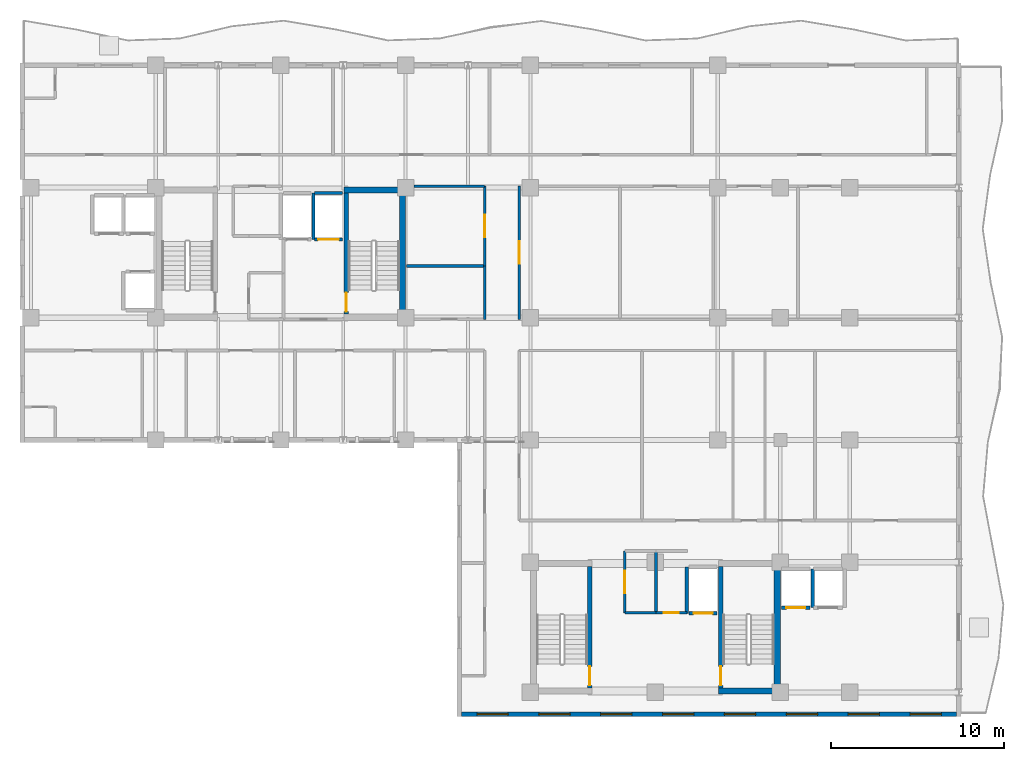
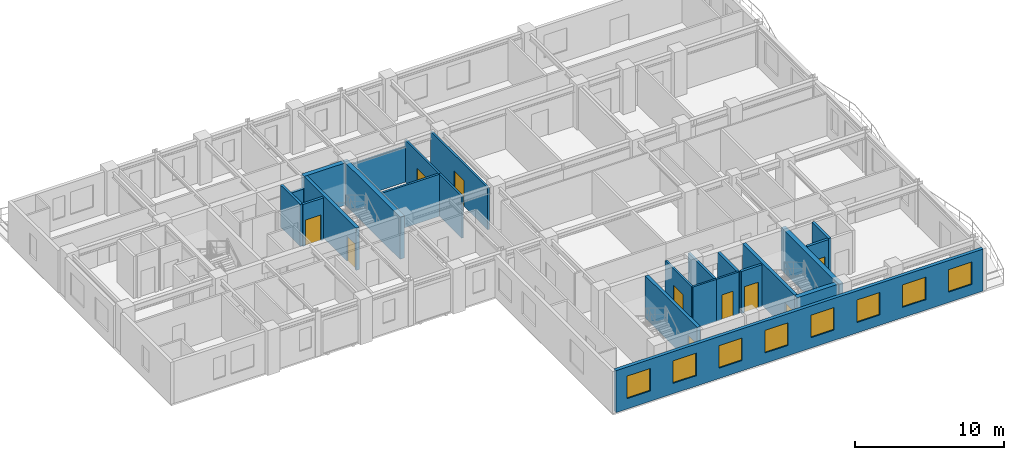
# One storey, part 7 of 13: 24 walls, 10 doors, 8 windows, 18 openings.
"""IFC4 building model written with IfcOpenShell, lengths in metres."""

from ifc_helpers import new_model, si_unit, direction, frame, frame_2d, origin, place, context, subcontext, project, spatial, rectangle, extrude, material, layer, layer_set, type_object, element, fill, save


model = new_model("IFC4")

# Units and contexts
model_context = context("Model", 3, precision=1e-05, world=origin(), true_north=direction((0.0, 1.0)))
body_context = subcontext(model_context, "Body", "Model", "MODEL_VIEW")
ifc_project = project(units=[si_unit("LENGTHUNIT", "METRE"), si_unit("AREAUNIT", "SQUARE_METRE"), si_unit("VOLUMEUNIT", "CUBIC_METRE"), si_unit("PLANEANGLEUNIT", "RADIAN"), si_unit("MASSUNIT", "GRAM", prefix="KILO")], contexts=[model_context])

# Site, building, storey
site_placement = place(None, origin())
site = spatial("IfcSite", under=ifc_project, at=site_placement, CompositionType="ELEMENT")
building_placement = place(site_placement, origin())
building = spatial("IfcBuilding", under=site, at=building_placement, Name="Kaliganga Portal Commons", CompositionType="ELEMENT")
storey_placement = place(building_placement, frame((0.0, 0.0, 212.89990234375)))
storey = spatial("IfcBuildingStorey", under=building, at=storey_placement, Name="L54", CompositionType="ELEMENT", Elevation=212.89990234375)

# Walls
ifc_material_1 = material(Name="Concrete C50/60", Category="concrete")
ifc_layer_1 = layer(ifc_material_1, 0.35009765625)
ifc_layer_set_1 = layer_set([ifc_layer_1], Name="Concrete C50/60")
wall_type_1 = type_object("IfcWallType", Name="WL-CORE-350", PredefinedType="SHEAR", material=ifc_layer_set_1)
wall_1_placement = place(storey_placement, frame((28.625, 28.5, 0.0), z_axis=(0.0, 0.0, 1.0), x_axis=(0.0, 1.0, 0.0)))
element("IfcWall", 1, at=wall_1_placement, inside=storey, type_object=wall_type_1, Name="Core A East Shear Wall L54", PredefinedType="SHEAR", context=body_context, shape_type="SweptSolid", body=[
    extrude(rectangle(XDim=7.699951171875, YDim=0.35009765625, at=frame_2d((3.85009765625, 0.0))), origin(), (0.0, 0.0, 1.0), 3.47021484375),
])
wall_2_placement = place(storey_placement, frame((25.25, 36.02490234375, 0.0), z_axis=(0.0, 0.0, 1.0), x_axis=(1.0, 0.0, 0.0)))
element("IfcWall", 2, at=wall_2_placement, inside=storey, type_object=wall_type_1, Name="Core A N-East Shear Wall L54", PredefinedType="SHEAR", context=body_context, shape_type="SweptSolid", body=[
    extrude(rectangle(XDim=3.199951171875, YDim=0.35009765625, at=frame_2d((1.60009765625, 0.0))), origin(), (0.0, 0.0, 1.0), 3.47021484375),
])
wall_3_placement = place(storey_placement, frame((50.22509765625, 6.949951171875, 0.0), z_axis=(0.0, 0.0, 1.0), x_axis=(0.0, 1.0, 0.0)))
element("IfcWall", 3, at=wall_3_placement, inside=storey, type_object=wall_type_1, Name="Core B East Shear Wall L54", PredefinedType="SHEAR", context=body_context, shape_type="SweptSolid", body=[
    extrude(rectangle(XDim=7.699951171875, YDim=0.35009765625, at=frame_2d((3.85009765625, 0.0))), origin(), (0.0, 0.0, 1.0), 3.47021484375),
])
wall_4_placement = place(storey_placement, frame((46.85009765625, 7.125, 0.0), z_axis=(0.0, 0.0, 1.0), x_axis=(1.0, 0.0, 0.0)))
element("IfcWall", 4, at=wall_4_placement, inside=storey, type_object=wall_type_1, Name="Core B S-East Shear Wall L54", PredefinedType="SHEAR", context=body_context, shape_type="SweptSolid", body=[
    extrude(rectangle(XDim=3.199951171875, YDim=0.35009765625, at=frame_2d((1.60009765625, 0.0))), origin(), (0.0, 0.0, 1.0), 3.47021484375),
])

# Wall, openings, windows
ifc_material_2 = material(Name="Insulated Aluminium-Clad Spandrel Assembly", Category="aluminium")
ifc_layer_2 = layer(ifc_material_2, 0.260009765625)
ifc_layer_set_2 = layer_set([ifc_layer_2], Name="Insulated Aluminium-Clad Spandrel Assembly")
wall_type_2 = type_object("IfcWallType", Name="WL-EXT-SPAND-260", PredefinedType="STANDARD", material=ifc_layer_set_2)
wall_5_placement = place(storey_placement, frame((60.56494140625, 5.800048828125, 0.0), z_axis=(0.0, 0.0, 1.0), x_axis=(-1.0, 0.0, 0.0)))
wall_5 = element("IfcWall", 5, at=wall_5_placement, inside=storey, type_object=wall_type_2, Name="Exterior Envelope Wall L54 P1-E00-S1", PredefinedType="STANDARD", context=body_context, shape_type="SweptSolid", body=[
    extrude(rectangle(XDim=28.530029296875, YDim=0.260009765625, at=frame_2d((14.26513671875, 0.0))), origin(), (0.0, 0.0, 1.0), 3.4501953125),
])
opening_1_placement = place(wall_5_placement, frame((0.883056640625, 0.0, 0.85009765625)))
opening_1 = element("IfcOpeningElement", 6, at=opening_1_placement, cuts=wall_5, Name="Opening W-01", PredefinedType="OPENING", context=body_context, shape_type="SweptSolid", body=[
    extrude(rectangle(XDim=1.800048828125, YDim=1.85009765625, at=frame_2d((0.89990234375, 0.925048828125))), frame((0.0, 0.14013671875, 0.0), z_axis=(0.0, -1.0, 0.0), x_axis=(1.0, 0.0, 0.0)), (0.0, 0.0, 1.0), 0.280029296875),
])
opening_2_placement = place(wall_5_placement, frame((4.449462890625, 0.0, 0.85009765625)))
opening_2 = element("IfcOpeningElement", 7, at=opening_2_placement, cuts=wall_5, Name="Opening W-01", PredefinedType="OPENING", context=body_context, shape_type="SweptSolid", body=[
    extrude(rectangle(XDim=1.800048828125, YDim=1.85009765625, at=frame_2d((0.89990234375, 0.925048828125))), frame((0.0, 0.14013671875, 0.0), z_axis=(0.0, -1.0, 0.0), x_axis=(1.0, 0.0, 0.0)), (0.0, 0.0, 1.0), 0.280029296875),
])
opening_3_placement = place(wall_5_placement, frame((8.015625, 0.0, 0.85009765625)))
opening_3 = element("IfcOpeningElement", 8, at=opening_3_placement, cuts=wall_5, Name="Opening W-01", PredefinedType="OPENING", context=body_context, shape_type="SweptSolid", body=[
    extrude(rectangle(XDim=1.800048828125, YDim=1.85009765625, at=frame_2d((0.89990234375, 0.925048828125))), frame((0.0, 0.14013671875, 0.0), z_axis=(0.0, -1.0, 0.0), x_axis=(1.0, 0.0, 0.0)), (0.0, 0.0, 1.0), 0.280029296875),
])
opening_4_placement = place(wall_5_placement, frame((11.581787109375, 0.0, 0.85009765625)))
opening_4 = element("IfcOpeningElement", 9, at=opening_4_placement, cuts=wall_5, Name="Opening W-01", PredefinedType="OPENING", context=body_context, shape_type="SweptSolid", body=[
    extrude(rectangle(XDim=1.800048828125, YDim=1.85009765625, at=frame_2d((0.89990234375, 0.925048828125))), frame((0.0, 0.14013671875, 0.0), z_axis=(0.0, -1.0, 0.0), x_axis=(1.0, 0.0, 0.0)), (0.0, 0.0, 1.0), 0.280029296875),
])
opening_5_placement = place(wall_5_placement, frame((15.148193359375, 0.0, 0.85009765625)))
opening_5 = element("IfcOpeningElement", 10, at=opening_5_placement, cuts=wall_5, Name="Opening W-01", PredefinedType="OPENING", context=body_context, shape_type="SweptSolid", body=[
    extrude(rectangle(XDim=1.800048828125, YDim=1.85009765625, at=frame_2d((0.89990234375, 0.925048828125))), frame((0.0, 0.14013671875, 0.0), z_axis=(0.0, -1.0, 0.0), x_axis=(1.0, 0.0, 0.0)), (0.0, 0.0, 1.0), 0.280029296875),
])
opening_6_placement = place(wall_5_placement, frame((18.71435546875, 0.0, 0.85009765625)))
opening_6 = element("IfcOpeningElement", 11, at=opening_6_placement, cuts=wall_5, Name="Opening W-01", PredefinedType="OPENING", context=body_context, shape_type="SweptSolid", body=[
    extrude(rectangle(XDim=1.800048828125, YDim=1.85009765625, at=frame_2d((0.89990234375, 0.925048828125))), frame((0.0, 0.14013671875, 0.0), z_axis=(0.0, -1.0, 0.0), x_axis=(1.0, 0.0, 0.0)), (0.0, 0.0, 1.0), 0.280029296875),
])
opening_7_placement = place(wall_5_placement, frame((22.280517578125, 0.0, 0.85009765625)))
opening_7 = element("IfcOpeningElement", 12, at=opening_7_placement, cuts=wall_5, Name="Opening W-01", PredefinedType="OPENING", context=body_context, shape_type="SweptSolid", body=[
    extrude(rectangle(XDim=1.800048828125, YDim=1.85009765625, at=frame_2d((0.89990234375, 0.925048828125))), frame((0.0, 0.14013671875, 0.0), z_axis=(0.0, -1.0, 0.0), x_axis=(1.0, 0.0, 0.0)), (0.0, 0.0, 1.0), 0.280029296875),
])
opening_8_placement = place(wall_5_placement, frame((25.846923828125, 0.0, 0.85009765625)))
opening_8 = element("IfcOpeningElement", 13, at=opening_8_placement, cuts=wall_5, Name="Opening W-01", PredefinedType="OPENING", context=body_context, shape_type="SweptSolid", body=[
    extrude(rectangle(XDim=1.800048828125, YDim=1.85009765625, at=frame_2d((0.89990234375, 0.925048828125))), frame((0.0, 0.14013671875, 0.0), z_axis=(0.0, -1.0, 0.0), x_axis=(1.0, 0.0, 0.0)), (0.0, 0.0, 1.0), 0.280029296875),
])
ifc_material_3 = material(Name="Thermally Broken Aluminium and Low-E Double Glazing", Category="aluminium")
window_type = type_object("IfcWindowType", Name="WIN-STD-1800", PartitioningType="DOUBLE_PANEL_VERTICAL", PredefinedType="WINDOW", material=ifc_material_3)
window_1_placement = place(opening_1_placement, origin())
window_1 = element("IfcWindow", 14, at=window_1_placement, inside=storey, type_object=window_type, Name="Facade Window L54-P1E00S1-00", OverallHeight=1.85009765625, OverallWidth=1.800048828125, PartitioningType="SINGLE_PANEL", PredefinedType="WINDOW", context=body_context, shape_type="SweptSolid", body=[
    extrude(rectangle(XDim=1.800048828125, YDim=1.85009765625, at=frame_2d((0.89990234375, 0.925048828125))), frame((0.0, 0.030029296875, 0.0), z_axis=(0.0, -1.0, 0.0), x_axis=(1.0, 0.0, 0.0)), (0.0, 0.0, 1.0), 0.06005859375),
])
fill(opening_1, window_1)
window_2_placement = place(opening_2_placement, origin())
window_2 = element("IfcWindow", 15, at=window_2_placement, inside=storey, type_object=window_type, Name="Facade Window L54-P1E00S1-01", OverallHeight=1.85009765625, OverallWidth=1.800048828125, PartitioningType="SINGLE_PANEL", PredefinedType="WINDOW", context=body_context, shape_type="SweptSolid", body=[
    extrude(rectangle(XDim=1.800048828125, YDim=1.85009765625, at=frame_2d((0.89990234375, 0.925048828125))), frame((0.0, 0.030029296875, 0.0), z_axis=(0.0, -1.0, 0.0), x_axis=(1.0, 0.0, 0.0)), (0.0, 0.0, 1.0), 0.06005859375),
])
fill(opening_2, window_2)
window_3_placement = place(opening_3_placement, origin())
window_3 = element("IfcWindow", 16, at=window_3_placement, inside=storey, type_object=window_type, Name="Facade Window L54-P1E00S1-02", OverallHeight=1.85009765625, OverallWidth=1.800048828125, PartitioningType="SINGLE_PANEL", PredefinedType="WINDOW", context=body_context, shape_type="SweptSolid", body=[
    extrude(rectangle(XDim=1.800048828125, YDim=1.85009765625, at=frame_2d((0.89990234375, 0.925048828125))), frame((0.0, 0.030029296875, 0.0), z_axis=(0.0, -1.0, 0.0), x_axis=(1.0, 0.0, 0.0)), (0.0, 0.0, 1.0), 0.06005859375),
])
fill(opening_3, window_3)
window_4_placement = place(opening_4_placement, origin())
window_4 = element("IfcWindow", 17, at=window_4_placement, inside=storey, type_object=window_type, Name="Facade Window L54-P1E00S1-03", OverallHeight=1.85009765625, OverallWidth=1.800048828125, PartitioningType="SINGLE_PANEL", PredefinedType="WINDOW", context=body_context, shape_type="SweptSolid", body=[
    extrude(rectangle(XDim=1.800048828125, YDim=1.85009765625, at=frame_2d((0.89990234375, 0.925048828125))), frame((0.0, 0.030029296875, 0.0), z_axis=(0.0, -1.0, 0.0), x_axis=(1.0, 0.0, 0.0)), (0.0, 0.0, 1.0), 0.06005859375),
])
fill(opening_4, window_4)
window_5_placement = place(opening_5_placement, origin())
window_5 = element("IfcWindow", 18, at=window_5_placement, inside=storey, type_object=window_type, Name="Facade Window L54-P1E00S1-04", OverallHeight=1.85009765625, OverallWidth=1.800048828125, PartitioningType="SINGLE_PANEL", PredefinedType="WINDOW", context=body_context, shape_type="SweptSolid", body=[
    extrude(rectangle(XDim=1.800048828125, YDim=1.85009765625, at=frame_2d((0.89990234375, 0.925048828125))), frame((0.0, 0.030029296875, 0.0), z_axis=(0.0, -1.0, 0.0), x_axis=(1.0, 0.0, 0.0)), (0.0, 0.0, 1.0), 0.06005859375),
])
fill(opening_5, window_5)
window_6_placement = place(opening_6_placement, origin())
window_6 = element("IfcWindow", 19, at=window_6_placement, inside=storey, type_object=window_type, Name="Facade Window L54-P1E00S1-05", OverallHeight=1.85009765625, OverallWidth=1.800048828125, PartitioningType="SINGLE_PANEL", PredefinedType="WINDOW", context=body_context, shape_type="SweptSolid", body=[
    extrude(rectangle(XDim=1.800048828125, YDim=1.85009765625, at=frame_2d((0.89990234375, 0.925048828125))), frame((0.0, 0.030029296875, 0.0), z_axis=(0.0, -1.0, 0.0), x_axis=(1.0, 0.0, 0.0)), (0.0, 0.0, 1.0), 0.06005859375),
])
fill(opening_6, window_6)
window_7_placement = place(opening_7_placement, origin())
window_7 = element("IfcWindow", 20, at=window_7_placement, inside=storey, type_object=window_type, Name="Facade Window L54-P1E00S1-06", OverallHeight=1.85009765625, OverallWidth=1.800048828125, PartitioningType="SINGLE_PANEL", PredefinedType="WINDOW", context=body_context, shape_type="SweptSolid", body=[
    extrude(rectangle(XDim=1.800048828125, YDim=1.85009765625, at=frame_2d((0.89990234375, 0.925048828125))), frame((0.0, 0.030029296875, 0.0), z_axis=(0.0, -1.0, 0.0), x_axis=(1.0, 0.0, 0.0)), (0.0, 0.0, 1.0), 0.06005859375),
])
fill(opening_7, window_7)
window_8_placement = place(opening_8_placement, origin())
window_8 = element("IfcWindow", 21, at=window_8_placement, inside=storey, type_object=window_type, Name="Facade Window L54-P1E00S1-07", OverallHeight=1.85009765625, OverallWidth=1.800048828125, PartitioningType="SINGLE_PANEL", PredefinedType="WINDOW", context=body_context, shape_type="SweptSolid", body=[
    extrude(rectangle(XDim=1.800048828125, YDim=1.85009765625, at=frame_2d((0.89990234375, 0.925048828125))), frame((0.0, 0.030029296875, 0.0), z_axis=(0.0, -1.0, 0.0), x_axis=(1.0, 0.0, 0.0)), (0.0, 0.0, 1.0), 0.06005859375),
])
fill(opening_8, window_8)

# Wall, opening, door
ifc_material_4 = material(Name="Fire-Rated Gypsum Board on Steel Stud", Category="steel")
ifc_layer_3 = layer(ifc_material_4, 0.14990234375)
ifc_layer_set_3 = layer_set([ifc_layer_3], Name="Fire-Rated Gypsum Board on Steel Stud")
wall_type_3 = type_object("IfcWallType", Name="WL-PART-CORR-150", PredefinedType="PARTITIONING", material=ifc_layer_set_3)
wall_6_placement = place(storey_placement, frame((35.360107421875, 28.56005859375, 0.0), z_axis=(0.0, 0.0, 1.0), x_axis=(0.0, 1.0, 0.0)))
wall_6 = element("IfcWall", 22, at=wall_6_placement, inside=storey, type_object=wall_type_3, Name="Interior Partition L54-014", PredefinedType="PARTITIONING", context=body_context, shape_type="SweptSolid", body=[
    extrude(rectangle(XDim=7.679931640625, YDim=0.14990234375, at=frame_2d((3.83984375, 0.0))), origin(), (0.0, 0.0, 1.0), 3.4501953125),
])
opening_9_placement = place(wall_6_placement, frame((3.18994140625, 0.0, 0.0)))
opening_9 = element("IfcOpeningElement", 23, at=opening_9_placement, cuts=wall_6, Name="Opening RD-03", PredefinedType="OPENING", context=body_context, shape_type="SweptSolid", body=[
    extrude(rectangle(XDim=1.300048828125, YDim=2.1201171875, at=frame_2d((0.64990234375, 1.06005859375))), frame((0.0, 0.0849609375, 0.0), z_axis=(0.0, -1.0, 0.0), x_axis=(1.0, 0.0, 0.0)), (0.0, 0.0, 1.0), 0.169921875),
])
ifc_material_5 = material(Name="Glazed Timber Seminar Vision Door", Category="wood")
door_type_1 = type_object("IfcDoorType", Name="DR-STUDY-1300", OperationType="DOUBLE_DOOR_SINGLE_SWING", PredefinedType="DOOR", material=ifc_material_5)
door_1_placement = place(opening_9_placement, origin())
door_1 = element("IfcDoor", 24, at=door_1_placement, inside=storey, type_object=door_type_1, Name="Interior Door L54-BK01", OperationType="DOUBLE_DOOR_SINGLE_SWING", OverallHeight=2.1201171875, OverallWidth=1.300048828125, PredefinedType="DOOR", context=body_context, shape_type="SweptSolid", body=[
    extrude(rectangle(XDim=1.300048828125, YDim=2.1201171875, at=frame_2d((0.64990234375, 1.06005859375))), frame((0.0, 0.02490234375, 0.0), z_axis=(0.0, -1.0, 0.0), x_axis=(1.0, 0.0, 0.0)), (0.0, 0.0, 1.0), 0.050048828125),
])
fill(opening_9, door_1)

wall_7_placement = place(storey_placement, frame((33.360107421875, 31.639892578125, 0.0), z_axis=(0.0, 0.0, 1.0), x_axis=(0.0, 1.0, 0.0)))
wall_7 = element("IfcWall", 25, at=wall_7_placement, inside=storey, type_object=wall_type_3, Name="Interior Partition L54-028", PredefinedType="PARTITIONING", context=body_context, shape_type="SweptSolid", body=[
    extrude(rectangle(XDim=4.60009765625, YDim=0.14990234375, at=frame_2d((2.300048828125, 0.0))), origin(), (0.0, 0.0, 1.0), 3.4501953125),
])
opening_10_placement = place(wall_7_placement, frame((1.64990234375, 0.0, 0.0)))
opening_10 = element("IfcOpeningElement", 26, at=opening_10_placement, cuts=wall_7, Name="Opening RD-03", PredefinedType="OPENING", context=body_context, shape_type="SweptSolid", body=[
    extrude(rectangle(XDim=1.300048828125, YDim=2.1201171875, at=frame_2d((0.64990234375, 1.06005859375))), frame((0.0, 0.0849609375, 0.0), z_axis=(0.0, -1.0, 0.0), x_axis=(1.0, 0.0, 0.0)), (0.0, 0.0, 1.0), 0.169921875),
])
door_2_placement = place(opening_10_placement, origin())
door_2 = element("IfcDoor", 27, at=door_2_placement, inside=storey, type_object=door_type_1, Name="Interior Door L54-CSRV_A2", OperationType="DOUBLE_DOOR_SINGLE_SWING", OverallHeight=2.1201171875, OverallWidth=1.300048828125, PredefinedType="DOOR", context=body_context, shape_type="SweptSolid", body=[
    extrude(rectangle(XDim=1.300048828125, YDim=2.1201171875, at=frame_2d((0.64990234375, 1.06005859375))), frame((0.0, 0.02490234375, 0.0), z_axis=(0.0, -1.0, 0.0), x_axis=(1.0, 0.0, 0.0)), (0.0, 0.0, 1.0), 0.050048828125),
])
fill(opening_10, door_2)

# Wall
wall_8_placement = place(storey_placement, frame((29.27490234375, 36.239990234375, 0.0), z_axis=(0.0, 0.0, 1.0), x_axis=(1.0, 0.0, 0.0)))
element("IfcWall", 28, at=wall_8_placement, inside=storey, type_object=wall_type_3, Name="Interior Partition L54-030", PredefinedType="PARTITIONING", context=body_context, shape_type="SweptSolid", body=[
    extrude(rectangle(XDim=4.085205078125, YDim=0.14990234375, at=frame_2d((2.04248046875, 0.0))), origin(), (0.0, 0.0, 1.0), 2.900146484375),
])

# Wall, opening, door
wall_9_placement = place(storey_placement, frame((41.43994140625, 11.639892578125, 0.0), z_axis=(0.0, 0.0, 1.0), x_axis=(0.0, 1.0, 0.0)))
wall_9 = element("IfcWall", 29, at=wall_9_placement, inside=storey, type_object=wall_type_3, Name="Interior Partition L54-031", PredefinedType="PARTITIONING", context=body_context, shape_type="SweptSolid", body=[
    extrude(rectangle(XDim=3.56005859375, YDim=0.14990234375, at=frame_2d((1.780029296875, 0.0))), origin(), (0.0, 0.0, 1.0), 3.4501953125),
])
opening_11_placement = place(wall_9_placement, frame((1.1298828125, 0.0, 0.0)))
opening_11 = element("IfcOpeningElement", 30, at=opening_11_placement, cuts=wall_9, Name="Opening RD-03", PredefinedType="OPENING", context=body_context, shape_type="SweptSolid", body=[
    extrude(rectangle(XDim=1.300048828125, YDim=2.1201171875, at=frame_2d((0.64990234375, 1.06005859375))), frame((0.0, 0.0849609375, 0.0), z_axis=(0.0, -1.0, 0.0), x_axis=(1.0, 0.0, 0.0)), (0.0, 0.0, 1.0), 0.169921875),
])
door_3_placement = place(opening_11_placement, origin())
door_3 = element("IfcDoor", 31, at=door_3_placement, inside=storey, type_object=door_type_1, Name="Interior Door L54-CREC_B1", OperationType="DOUBLE_DOOR_SINGLE_SWING", OverallHeight=2.1201171875, OverallWidth=1.300048828125, PredefinedType="DOOR", context=body_context, shape_type="SweptSolid", body=[
    extrude(rectangle(XDim=1.300048828125, YDim=2.1201171875, at=frame_2d((0.64990234375, 1.06005859375))), frame((0.0, 0.02490234375, 0.0), z_axis=(0.0, -1.0, 0.0), x_axis=(1.0, 0.0, 0.0)), (0.0, 0.0, 1.0), 0.050048828125),
])
fill(opening_11, door_3)

# Walls
wall_10_placement = place(storey_placement, frame((33.360107421875, 28.56005859375, 0.0), z_axis=(0.0, 0.0, 1.0), x_axis=(0.0, 1.0, 0.0)))
element("IfcWall", 32, at=wall_10_placement, inside=storey, type_object=wall_type_3, Name="Interior Partition L54-032", PredefinedType="PARTITIONING", context=body_context, shape_type="SweptSolid", body=[
    extrude(rectangle(XDim=3.079833984375, YDim=0.14990234375, at=frame_2d((1.5400390625, 0.0))), origin(), (0.0, 0.0, 1.0), 3.4501953125),
])
wall_11_placement = place(storey_placement, frame((41.43994140625, 11.639892578125, 0.0), z_axis=(0.0, 0.0, 1.0), x_axis=(1.0, 0.0, 0.0)))
element("IfcWall", 33, at=wall_11_placement, inside=storey, type_object=wall_type_3, Name="Interior Partition L54-044", PredefinedType="PARTITIONING", context=body_context, shape_type="SweptSolid", body=[
    extrude(rectangle(XDim=1.800048828125, YDim=0.14990234375, at=frame_2d((0.89990234375, 0.0))), origin(), (0.0, 0.0, 1.0), 3.4501953125),
])

# Wall, opening, door
wall_12_placement = place(storey_placement, frame((43.239990234375, 11.639892578125, 0.0), z_axis=(0.0, 0.0, 1.0), x_axis=(1.0, 0.0, 0.0)))
wall_12 = element("IfcWall", 34, at=wall_12_placement, inside=storey, type_object=wall_type_3, Name="Interior Partition L54-046", PredefinedType="PARTITIONING", context=body_context, shape_type="SweptSolid", body=[
    extrude(rectangle(XDim=1.77001953125, YDim=0.14990234375, at=frame_2d((0.885009765625, 0.0))), origin(), (0.0, 0.0, 1.0), 3.4501953125),
])
opening_12_placement = place(wall_12_placement, frame((0.455078125, 0.0, 0.0)))
opening_12 = element("IfcOpeningElement", 35, at=opening_12_placement, cuts=wall_12, Name="Opening WD-02", PredefinedType="OPENING", context=body_context, shape_type="SweptSolid", body=[
    extrude(rectangle(XDim=0.860107421875, YDim=2.02001953125, at=frame_2d((0.43017578125, 1.010009765625))), frame((0.0, 0.0849609375, 0.0), z_axis=(0.0, -1.0, 0.0), x_axis=(1.0, 0.0, 0.0)), (0.0, 0.0, 1.0), 0.169921875),
])
ifc_material_6 = material(Name="Fire-Rated Utility Closet Door", Category="wood")
door_type_2 = type_object("IfcDoorType", Name="DR-STORE-800", OperationType="NOTDEFINED", PredefinedType="DOOR", material=ifc_material_6)
door_4_placement = place(opening_12_placement, origin())
door_4 = element("IfcDoor", 36, at=door_4_placement, inside=storey, type_object=door_type_2, Name="Interior Door L54-CREC_B2", OperationType="SINGLE_SWING_RIGHT", OverallHeight=2.02001953125, OverallWidth=0.860107421875, PredefinedType="DOOR", context=body_context, shape_type="SweptSolid", body=[
    extrude(rectangle(XDim=0.860107421875, YDim=2.02001953125, at=frame_2d((0.43017578125, 1.010009765625))), frame((0.0, 0.02490234375, 0.0), z_axis=(0.0, -1.0, 0.0), x_axis=(1.0, 0.0, 0.0)), (0.0, 0.0, 1.0), 0.050048828125),
])
fill(opening_12, door_4)

# Walls
ifc_material_7 = material(Name="Twin-Stud Acoustic Gypsum Partition", Category="gypsum")
ifc_layer_4 = layer(ifc_material_7, 0.1650390625)
ifc_layer_set_4 = layer_set([ifc_layer_4], Name="Twin-Stud Acoustic Gypsum Partition")
wall_type_4 = type_object("IfcWallType", Name="WL-PART-UNIT-165", PredefinedType="PARTITIONING", material=ifc_layer_set_4)
wall_13_placement = place(storey_placement, frame((28.840087890625, 31.639892578125, 0.0), z_axis=(0.0, 0.0, 1.0), x_axis=(1.0, 0.0, 0.0)))
element("IfcWall", 37, at=wall_13_placement, inside=storey, type_object=wall_type_4, Name="Interior Partition L54-074", PredefinedType="PARTITIONING", context=body_context, shape_type="SweptSolid", body=[
    extrude(rectangle(XDim=4.52001953125, YDim=0.1650390625, at=frame_2d((2.260009765625, 0.0))), origin(), (0.0, 0.0, 1.0), 3.4501953125),
])
wall_14_placement = place(storey_placement, frame((43.239990234375, 11.639892578125, 0.0), z_axis=(0.0, 0.0, 1.0), x_axis=(0.0, 1.0, 0.0)))
element("IfcWall", 38, at=wall_14_placement, inside=storey, type_object=wall_type_4, Name="Interior Partition L54-075", PredefinedType="PARTITIONING", context=body_context, shape_type="SweptSolid", body=[
    extrude(rectangle(XDim=3.56005859375, YDim=0.1650390625, at=frame_2d((1.780029296875, 0.0))), origin(), (0.0, 0.0, 1.0), 3.4501953125),
])
ifc_material_8 = material(Name="Fire-Rated Shaftwall Masonry Assembly", Category="masonry")
ifc_layer_5 = layer(ifc_material_8, 0.199951171875)
ifc_layer_set_5 = layer_set([ifc_layer_5], Name="Fire-Rated Shaftwall Masonry Assembly")
wall_type_5 = type_object("IfcWallType", Name="WL-SHAFT-200", PredefinedType="PARTITIONING", material=ifc_layer_set_5)
wall_15_placement = place(storey_placement, frame((23.489990234375, 33.159912109375, 0.0), z_axis=(0.0, 0.0, 1.0), x_axis=(0.0, 1.0, 0.0)))
element("IfcWall", 39, at=wall_15_placement, inside=storey, type_object=wall_type_5, Name="Lift FFL-1 Hoistway Shaft Wall L54-E", PredefinedType="PARTITIONING", context=body_context, shape_type="SweptSolid", body=[
    extrude(rectangle(XDim=2.68017578125, YDim=0.199951171875, at=frame_2d((1.340087890625, 0.0))), origin(), (0.0, 0.0, 1.0), 3.4501953125),
])

# Wall, opening, door
wall_16_placement = place(storey_placement, frame((23.550048828125, 33.159912109375, 0.0), z_axis=(0.0, 0.0, 1.0), x_axis=(1.0, 0.0, 0.0)))
wall_16 = element("IfcWall", 40, at=wall_16_placement, inside=storey, type_object=wall_type_5, Name="Lift FFL-2 Hoistway Shaft Wall L54-S", PredefinedType="PARTITIONING", context=body_context, shape_type="SweptSolid", body=[
    extrude(rectangle(XDim=1.599853515625, YDim=0.199951171875, at=frame_2d((0.7998046875, 0.0))), origin(), (0.0, 0.0, 1.0), 3.4501953125),
])
opening_13_placement = place(wall_16_placement, frame((0.199951171875, 0.0, 0.0)))
opening_13 = element("IfcOpeningElement", 41, at=opening_13_placement, cuts=wall_16, Name="Opening LD-02", PredefinedType="OPENING", context=body_context, shape_type="SweptSolid", body=[
    extrude(rectangle(XDim=1.199951171875, YDim=2.1201171875, at=frame_2d((0.60009765625, 1.06005859375))), frame((0.0, 0.10986328125, 0.0), z_axis=(0.0, -1.0, 0.0), x_axis=(1.0, 0.0, 0.0)), (0.0, 0.0, 1.0), 0.219970703125),
])
ifc_material_9 = material(Name="Brushed Stainless Steel 316 Stretcher Lift Landing Door", Category="steel")
door_type_3 = type_object("IfcDoorType", Name="DR-LIFT-1200", OperationType="SLIDING_TO_RIGHT", PredefinedType="DOOR", material=ifc_material_9)
door_5_placement = place(opening_13_placement, origin())
door_5 = element("IfcDoor", 42, at=door_5_placement, inside=storey, type_object=door_type_3, Name="Lift FFL-2 Sliding Landing Door L54", OperationType="SLIDING_TO_RIGHT", OverallHeight=2.1201171875, OverallWidth=1.199951171875, PredefinedType="DOOR", context=body_context, shape_type="SweptSolid", body=[
    extrude(rectangle(XDim=1.199951171875, YDim=2.1201171875, at=frame_2d((0.60009765625, 1.06005859375))), frame((0.0, 0.02490234375, 0.0), z_axis=(0.0, -1.0, 0.0), x_axis=(1.0, 0.0, 0.0)), (0.0, 0.0, 1.0), 0.050048828125),
])
fill(opening_13, door_5)

# Wall
wall_17_placement = place(storey_placement, frame((23.550048828125, 35.840087890625, 0.0), z_axis=(0.0, 0.0, 1.0), x_axis=(1.0, 0.0, 0.0)))
element("IfcWall", 43, at=wall_17_placement, inside=storey, type_object=wall_type_5, Name="Lift FFL-2 Hoistway Shaft Wall L54-N", PredefinedType="PARTITIONING", context=body_context, shape_type="SweptSolid", body=[
    extrude(rectangle(XDim=1.599853515625, YDim=0.199951171875, at=frame_2d((0.7998046875, 0.0))), origin(), (0.0, 0.0, 1.0), 2.550048828125),
])

# Wall, opening, door
wall_18_placement = place(storey_placement, frame((50.47509765625, 11.93505859375, 0.0), z_axis=(0.0, 0.0, 1.0), x_axis=(1.0, 0.0, 0.0)))
wall_18 = element("IfcWall", 44, at=wall_18_placement, inside=storey, type_object=wall_type_5, Name="Lift PL-B3 Hoistway Shaft Wall L54-S", PredefinedType="PARTITIONING", context=body_context, shape_type="SweptSolid", body=[
    extrude(rectangle(XDim=1.64990234375, YDim=0.199951171875, at=frame_2d((0.824951171875, 0.0))), origin(), (0.0, 0.0, 1.0), 3.4501953125),
])
opening_14_placement = place(wall_18_placement, frame((0.27490234375, 0.0, 0.0)))
opening_14 = element("IfcOpeningElement", 45, at=opening_14_placement, cuts=wall_18, Name="Opening LD-01", PredefinedType="OPENING", context=body_context, shape_type="SweptSolid", body=[
    extrude(rectangle(XDim=1.10009765625, YDim=2.1201171875, at=frame_2d((0.550048828125, 1.06005859375))), frame((0.0, 0.10986328125, 0.0), z_axis=(0.0, -1.0, 0.0), x_axis=(1.0, 0.0, 0.0)), (0.0, 0.0, 1.0), 0.219970703125),
])
ifc_material_10 = material(Name="Brushed Stainless Steel 316 Lift Landing Door", Category="steel")
door_type_4 = type_object("IfcDoorType", Name="DR-LIFT-1100", OperationType="SLIDING_TO_LEFT", PredefinedType="DOOR", material=ifc_material_10)
door_6_placement = place(opening_14_placement, origin())
door_6 = element("IfcDoor", 46, at=door_6_placement, inside=storey, type_object=door_type_4, Name="Lift PL-B3 Sliding Landing Door L54", OperationType="SLIDING_TO_LEFT", OverallHeight=2.1201171875, OverallWidth=1.10009765625, PredefinedType="DOOR", context=body_context, shape_type="SweptSolid", body=[
    extrude(rectangle(XDim=1.10009765625, YDim=2.1201171875, at=frame_2d((0.550048828125, 1.06005859375))), frame((0.0, 0.02490234375, 0.0), z_axis=(0.0, -1.0, 0.0), x_axis=(1.0, 0.0, 0.0)), (0.0, 0.0, 1.0), 0.050048828125),
])
fill(opening_14, door_6)

# Wall
wall_19_placement = place(storey_placement, frame((52.264892578125, 11.93505859375, 0.0), z_axis=(0.0, 0.0, 1.0), x_axis=(0.0, 1.0, 0.0)))
element("IfcWall", 47, at=wall_19_placement, inside=storey, type_object=wall_type_5, Name="Lift PL-B3 Hoistway Shaft Wall L54-E", PredefinedType="PARTITIONING", context=body_context, shape_type="SweptSolid", body=[
    extrude(rectangle(XDim=2.22998046875, YDim=0.199951171875, at=frame_2d((1.114990234375, 0.0))), origin(), (0.0, 0.0, 1.0), 3.4501953125),
])

# Wall, opening, door
wall_20_placement = place(storey_placement, frame((45.14990234375, 11.610107421875, 0.0), z_axis=(0.0, 0.0, 1.0), x_axis=(1.0, 0.0, 0.0)))
wall_20 = element("IfcWall", 48, at=wall_20_placement, inside=storey, type_object=wall_type_5, Name="Lift SL-B1 Hoistway Shaft Wall L54-S", PredefinedType="PARTITIONING", context=body_context, shape_type="SweptSolid", body=[
    extrude(rectangle(XDim=1.60009765625, YDim=0.199951171875, at=frame_2d((0.800048828125, 0.0))), origin(), (0.0, 0.0, 1.0), 3.4501953125),
])
opening_15_placement = place(wall_20_placement, frame((0.25, 0.0, 0.0)))
opening_15 = element("IfcOpeningElement", 49, at=opening_15_placement, cuts=wall_20, Name="Opening LD-01", PredefinedType="OPENING", context=body_context, shape_type="SweptSolid", body=[
    extrude(rectangle(XDim=1.10009765625, YDim=2.1201171875, at=frame_2d((0.550048828125, 1.06005859375))), frame((0.0, 0.10986328125, 0.0), z_axis=(0.0, -1.0, 0.0), x_axis=(1.0, 0.0, 0.0)), (0.0, 0.0, 1.0), 0.219970703125),
])
door_7_placement = place(opening_15_placement, origin())
door_7 = element("IfcDoor", 50, at=door_7_placement, inside=storey, type_object=door_type_4, Name="Lift SL-B1 Sliding Landing Door L54", OperationType="SLIDING_TO_LEFT", OverallHeight=2.1201171875, OverallWidth=1.10009765625, PredefinedType="DOOR", context=body_context, shape_type="SweptSolid", body=[
    extrude(rectangle(XDim=1.10009765625, YDim=2.1201171875, at=frame_2d((0.550048828125, 1.06005859375))), frame((0.0, 0.02490234375, 0.0), z_axis=(0.0, -1.0, 0.0), x_axis=(1.0, 0.0, 0.0)), (0.0, 0.0, 1.0), 0.050048828125),
])
fill(opening_15, door_7)

# Wall
wall_21_placement = place(storey_placement, frame((45.010009765625, 11.610107421875, 0.0), z_axis=(0.0, 0.0, 1.0), x_axis=(0.0, 1.0, 0.0)))
element("IfcWall", 51, at=wall_21_placement, inside=storey, type_object=wall_type_5, Name="Lift SL-B1 Hoistway Shaft Wall L54-W", PredefinedType="PARTITIONING", context=body_context, shape_type="SweptSolid", body=[
    extrude(rectangle(XDim=2.679931640625, YDim=0.199951171875, at=frame_2d((1.33984375, 0.0))), origin(), (0.0, 0.0, 1.0), 3.4501953125),
])

# Wall, opening, door
ifc_layer_6 = layer(ifc_material_1, 0.25)
ifc_layer_set_6 = layer_set([ifc_layer_6], Name="Concrete C50/60")
wall_type_6 = type_object("IfcWallType", Name="WL-STAIR-250", PredefinedType="SHEAR", material=ifc_layer_set_6)
wall_22_placement = place(storey_placement, frame((25.375, 28.85009765625, 0.0), z_axis=(0.0, 0.0, 1.0), x_axis=(0.0, 1.0, 0.0)))
wall_22 = element("IfcWall", 52, at=wall_22_placement, inside=storey, type_object=wall_type_6, Name="Stair A2 Enclosure Shear Wall L54", PredefinedType="SHEAR", context=body_context, shape_type="SweptSolid", body=[
    extrude(rectangle(XDim=7.0, YDim=0.25, at=frame_2d((3.5, 0.0))), origin(), (0.0, 0.0, 1.0), 3.47021484375),
])
opening_16_placement = place(wall_22_placement, frame((0.14990234375, 0.0, 0.0)))
opening_16 = element("IfcOpeningElement", 53, at=opening_16_placement, cuts=wall_22, Name="Opening SD-01", PredefinedType="OPENING", context=body_context, shape_type="SweptSolid", body=[
    extrude(rectangle(XDim=1.10009765625, YDim=2.080078125, at=frame_2d((0.550048828125, 1.0400390625))), frame((0.0, 0.135009765625, 0.0), z_axis=(0.0, -1.0, 0.0), x_axis=(1.0, 0.0, 0.0)), (0.0, 0.0, 1.0), 0.27001953125),
])
ifc_material_11 = material(Name="Galvanized Steel Fire Door Leaf and Frame", Category="steel")
door_type_5 = type_object("IfcDoorType", Name="DR-STAIR-1100", OperationType="NOTDEFINED", PredefinedType="DOOR", material=ifc_material_11)
door_8_placement = place(opening_16_placement, origin())
door_8 = element("IfcDoor", 54, at=door_8_placement, inside=storey, type_object=door_type_5, Name="Protected Stair ST-A2 Fire Door L54", OperationType="SINGLE_SWING_LEFT", OverallHeight=2.080078125, OverallWidth=1.10009765625, PredefinedType="DOOR", context=body_context, shape_type="SweptSolid", body=[
    extrude(rectangle(XDim=1.10009765625, YDim=2.080078125, at=frame_2d((0.550048828125, 1.0400390625))), frame((0.0, 0.02490234375, 0.0), z_axis=(0.0, -1.0, 0.0), x_axis=(1.0, 0.0, 0.0)), (0.0, 0.0, 1.0), 0.050048828125),
])
fill(opening_16, door_8)

wall_23_placement = place(storey_placement, frame((39.425048828125, 7.300048828125, 0.0), z_axis=(0.0, 0.0, 1.0), x_axis=(0.0, 1.0, 0.0)))
wall_23 = element("IfcWall", 55, at=wall_23_placement, inside=storey, type_object=wall_type_6, Name="Stair B1 Enclosure Shear Wall L54", PredefinedType="SHEAR", context=body_context, shape_type="SweptSolid", body=[
    extrude(rectangle(XDim=7.0, YDim=0.25, at=frame_2d((3.5, 0.0))), origin(), (0.0, 0.0, 1.0), 3.47021484375),
])
opening_17_placement = place(wall_23_placement, frame((0.14990234375, 0.0, 0.0)))
opening_17 = element("IfcOpeningElement", 56, at=opening_17_placement, cuts=wall_23, Name="Opening SD-01", PredefinedType="OPENING", context=body_context, shape_type="SweptSolid", body=[
    extrude(rectangle(XDim=1.10009765625, YDim=2.080078125, at=frame_2d((0.550048828125, 1.0400390625))), frame((0.0, 0.135009765625, 0.0), z_axis=(0.0, -1.0, 0.0), x_axis=(1.0, 0.0, 0.0)), (0.0, 0.0, 1.0), 0.27001953125),
])
door_9_placement = place(opening_17_placement, origin())
door_9 = element("IfcDoor", 57, at=door_9_placement, inside=storey, type_object=door_type_5, Name="Protected Stair ST-B1 Fire Door L54", OperationType="SINGLE_SWING_RIGHT", OverallHeight=2.080078125, OverallWidth=1.10009765625, PredefinedType="DOOR", context=body_context, shape_type="SweptSolid", body=[
    extrude(rectangle(XDim=1.10009765625, YDim=2.080078125, at=frame_2d((0.550048828125, 1.0400390625))), frame((0.0, 0.02490234375, 0.0), z_axis=(0.0, -1.0, 0.0), x_axis=(1.0, 0.0, 0.0)), (0.0, 0.0, 1.0), 0.050048828125),
])
fill(opening_17, door_9)

wall_24_placement = place(storey_placement, frame((46.97509765625, 7.300048828125, 0.0), z_axis=(0.0, 0.0, 1.0), x_axis=(0.0, 1.0, 0.0)))
wall_24 = element("IfcWall", 58, at=wall_24_placement, inside=storey, type_object=wall_type_6, Name="Stair B2 Enclosure Shear Wall L54", PredefinedType="SHEAR", context=body_context, shape_type="SweptSolid", body=[
    extrude(rectangle(XDim=7.0, YDim=0.25, at=frame_2d((3.5, 0.0))), origin(), (0.0, 0.0, 1.0), 3.47021484375),
])
opening_18_placement = place(wall_24_placement, frame((0.14990234375, 0.0, 0.0)))
opening_18 = element("IfcOpeningElement", 59, at=opening_18_placement, cuts=wall_24, Name="Opening SD-01", PredefinedType="OPENING", context=body_context, shape_type="SweptSolid", body=[
    extrude(rectangle(XDim=1.10009765625, YDim=2.080078125, at=frame_2d((0.550048828125, 1.0400390625))), frame((0.0, 0.135009765625, 0.0), z_axis=(0.0, -1.0, 0.0), x_axis=(1.0, 0.0, 0.0)), (0.0, 0.0, 1.0), 0.27001953125),
])
door_10_placement = place(opening_18_placement, origin())
door_10 = element("IfcDoor", 60, at=door_10_placement, inside=storey, type_object=door_type_5, Name="Protected Stair ST-B2 Fire Door L54", OperationType="SINGLE_SWING_LEFT", OverallHeight=2.080078125, OverallWidth=1.10009765625, PredefinedType="DOOR", context=body_context, shape_type="SweptSolid", body=[
    extrude(rectangle(XDim=1.10009765625, YDim=2.080078125, at=frame_2d((0.550048828125, 1.0400390625))), frame((0.0, 0.02490234375, 0.0), z_axis=(0.0, -1.0, 0.0), x_axis=(1.0, 0.0, 0.0)), (0.0, 0.0, 1.0), 0.050048828125),
])
fill(opening_18, door_10)

save(model, "model.ifc")
